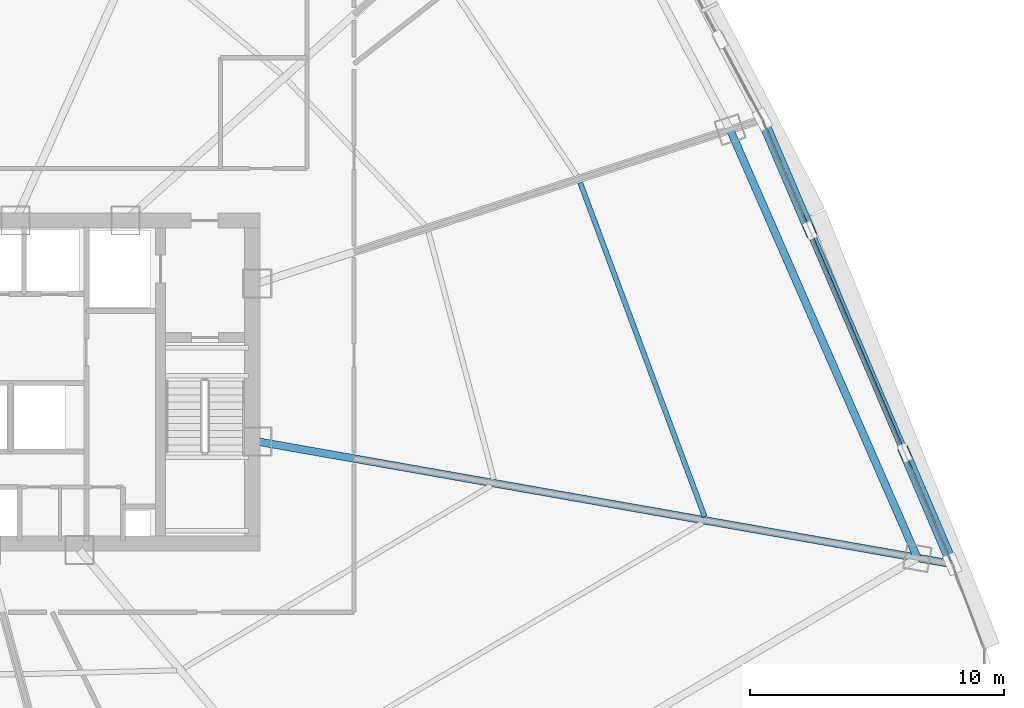
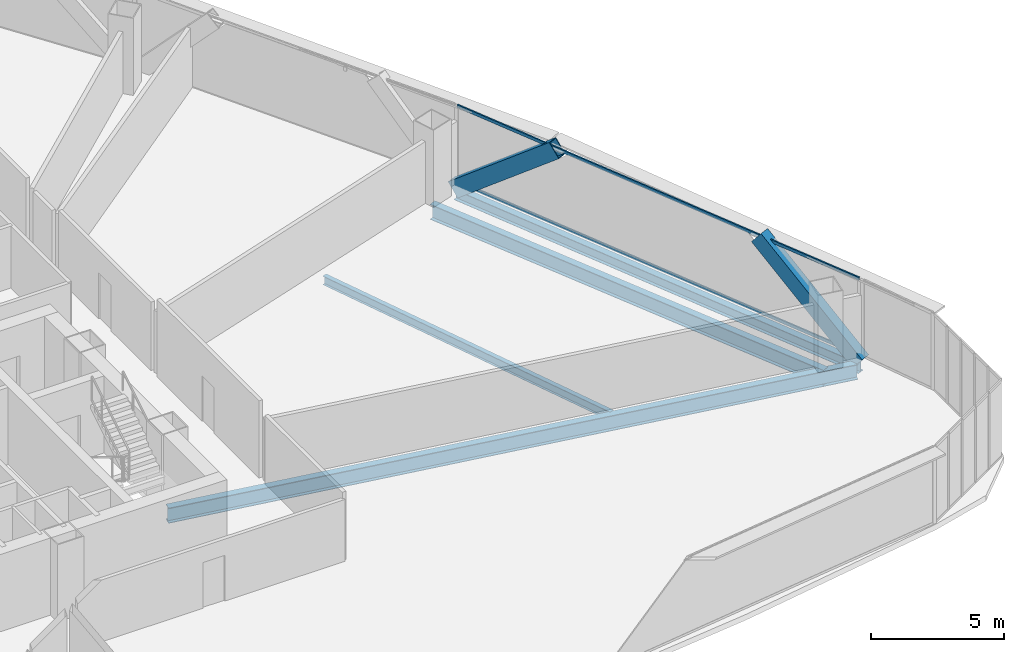
# One storey, part 25 of 41: 4 beams, 4 members, 1 element without a shape of its own.
"""IFC4 building model written with IfcOpenShell, lengths in metres."""

from ifc_helpers import new_model, si_unit, direction, frame, origin, origin_2d, place, context, subcontext, project, spatial, hollow_rectangle, i_section, extrude, source, transform, mapped, material, layer, layer_set, material_profile, profile_set, type_object, element, aggregate, save


model = new_model("IFC4")

# Units and contexts
model_context = context("Model", 3, precision=1e-05, world=origin(), true_north=direction((0.0, 1.0)))
body_context = subcontext(model_context, "Body", "Model", "MODEL_VIEW")
ifc_project = project(units=[si_unit("LENGTHUNIT", "METRE"), si_unit("AREAUNIT", "SQUARE_METRE"), si_unit("VOLUMEUNIT", "CUBIC_METRE"), si_unit("PLANEANGLEUNIT", "RADIAN"), si_unit("MASSUNIT", "GRAM", prefix="KILO"), si_unit("THERMODYNAMICTEMPERATUREUNIT", "KELVIN"), si_unit("POWERUNIT", "WATT")], contexts=[model_context])

# Site, building, storey
site_placement = place(None, origin())
site = spatial("IfcSite", under=ifc_project, at=site_placement, CompositionType="ELEMENT")
building_placement = place(site_placement, origin())
building = spatial("IfcBuilding", under=site, at=building_placement, Name="Yunzhuo Pagoda Commons", CompositionType="ELEMENT")
storey_placement = place(building_placement, frame((0.0, 0.0, 111.580078125)))
storey = spatial("IfcBuildingStorey", under=building, at=storey_placement, Name="L28", CompositionType="ELEMENT", Elevation=111.580078125)

# Beams
ifc_material_1 = material(Name="Structural steel Q355B", Category="steel")
ifc_material_profile_1 = material_profile(ifc_material_1, i_section(OverallWidth=0.300048828125, OverallDepth=0.699951171875, WebThickness=0.012939453125, FlangeThickness=0.02392578125, at=origin_2d()), Name="Structural steel Q355B")
ifc_profile_set_1 = profile_set([ifc_material_profile_1], Name="Structural steel Q355B")
beam_type_1 = type_object("IfcBeamType", Name="B-RG1 Beam HN 700x300x13x24", PredefinedType="BEAM", material=ifc_profile_set_1)
shared_shape_1 = source(origin(), body_context, "Body", "SweptSolid", [
    extrude(i_section(OverallWidth=0.300048828125, OverallDepth=0.699951171875, WebThickness=0.012939453125, FlangeThickness=0.02392578125, at=origin_2d()), origin(), (0.0, 0.0, 1.0), 18.37158203125),
])
beam_1_placement = place(storey_placement, frame((86.352783203125, 26.9375, -0.610107421875), z_axis=(-0.400729599795, 0.916196369698, 0.0), x_axis=(-0.916196369698, -0.400729599795, 0.0)))
element("IfcBeam", 1, at=beam_1_placement, inside=storey, type_object=beam_type_1, Name="L28 column-ring beam 5", PredefinedType="BEAM", context=body_context, shape_type="MappedRepresentation", body=[
    mapped(shared_shape_1, transform((0.0, 0.0, 0.0), scale=1.0)),
])
ifc_material_profile_2 = material_profile(ifc_material_1, i_section(OverallWidth=0.199951171875, OverallDepth=0.39990234375, WebThickness=0.008056640625, FlangeThickness=0.012939453125, at=origin_2d()), Name="Structural steel Q355B")
ifc_profile_set_2 = profile_set([ifc_material_profile_2], Name="Structural steel Q355B")
beam_type_2 = type_object("IfcBeamType", Name="B-JS1 Joist HN 400x200x8x13", PredefinedType="JOIST", material=ifc_profile_set_2)
shared_shape_2 = source(origin(), body_context, "Body", "SweptSolid", [
    extrude(i_section(OverallWidth=0.199951171875, OverallDepth=0.39990234375, WebThickness=0.008056640625, FlangeThickness=0.012939453125, at=origin_2d()), origin(), (0.0, 0.0, 1.0), 14.01904296875),
])
beam_2_placement = place(storey_placement, frame((77.992431640625, 28.55078125, -0.4599609375), z_axis=(-0.349168392993, 0.937059994523, 0.0), x_axis=(-0.937059994523, -0.349168392993, 0.0)))
element("IfcBeam", 2, at=beam_2_placement, inside=storey, type_object=beam_type_2, Name="L28 composite ring joist 2.5", PredefinedType="JOIST", context=body_context, shape_type="MappedRepresentation", body=[
    mapped(shared_shape_2, transform((0.0, 0.0, 0.0), scale=1.0)),
])
shared_shape_3 = source(origin(), body_context, "Body", "SweptSolid", [
    extrude(i_section(OverallWidth=0.300048828125, OverallDepth=0.699951171875, WebThickness=0.012939453125, FlangeThickness=0.02392578125, at=origin_2d()), origin(), (0.0, 0.0, 1.0), 27.59228515625),
])
beam_3_placement = place(storey_placement, frame((87.572998046875, 26.72216796875, -0.610107421875), z_axis=(-0.984808311773, 0.173645008747, 0.0), x_axis=(-0.173645008747, -0.984808311773, 0.0)))
element("IfcBeam", 3, at=beam_3_placement, inside=storey, type_object=beam_type_1, Name="L28 radial floor girder F2C1", PredefinedType="BEAM", context=body_context, shape_type="MappedRepresentation", body=[
    mapped(shared_shape_3, transform((0.0, 0.0, 0.0), scale=1.0)),
])
ifc_material_profile_3 = material_profile(ifc_material_1, i_section(OverallWidth=0.300048828125, OverallDepth=0.488037109375, WebThickness=0.010986328125, FlangeThickness=0.01806640625, at=origin_2d()), Name="Structural steel Q355B")
ifc_profile_set_3 = profile_set([ifc_material_profile_3], Name="Structural steel Q355B")
beam_type_3 = type_object("IfcBeamType", Name="B-SP1 Beam HM 488x300x11x18", PredefinedType="BEAM", material=ifc_profile_set_3)
shared_shape_4 = source(origin(), body_context, "Body", "SweptSolid", [
    extrude(i_section(OverallWidth=0.300048828125, OverallDepth=0.488037109375, WebThickness=0.010986328125, FlangeThickness=0.01806640625, at=origin_2d()), origin(), (0.0, 0.0, 1.0), 19.013671875),
])
beam_4_placement = place(storey_placement, frame((87.7255859375, 26.695556640625, -0.504150390625), z_axis=(-0.392730365154, 0.919653663226, 0.0), x_axis=(-0.919653663226, -0.392730365154, 0.0)))
element("IfcBeam", 4, at=beam_4_placement, inside=storey, type_object=beam_type_3, Name="L28 facade edge spandrel beam F2.1", PredefinedType="BEAM", context=body_context, shape_type="MappedRepresentation", body=[
    mapped(shared_shape_4, transform((0.0, 0.0, 0.0), scale=1.0)),
])

# Members
ifc_material_2 = material(Name="Structural steel Q420B", Category="steel")
ifc_material_profile_4 = material_profile(ifc_material_2, hollow_rectangle(XDim=0.419921875, YDim=0.719970703125, WallThickness=0.028076171875, at=origin_2d()), Name="Structural steel Q420B")
ifc_profile_set_4 = profile_set([ifc_material_profile_4], Name="Structural steel Q420B")
member_type_1 = type_object("IfcMemberType", Name="M-DL1 Brace BOX 720x420x28", PredefinedType="BRACE", material=ifc_profile_set_4)
shared_shape_5 = source(origin(), body_context, "Body", "SweptSolid", [
    extrude(hollow_rectangle(XDim=0.419921875, YDim=0.719970703125, WallThickness=0.028076171875, at=origin_2d()), origin(), (0.0, 0.0, 1.0), 6.085693359375),
])
for number, where, z_axis, x_axis, name in (
    (5, (87.7255859375, 26.695556640625, -0.260009765625), (-0.306735656303, 0.718337517887, 0.624423291964), (-0.919664918407, -0.392704007938, 0.0), "L28 facade diamond brace F2.1L"),
    (6, (80.25830078125, 44.181640625, -0.260009765625), (0.306735656303, -0.718337517887, 0.624423291964), (0.919664918407, 0.392704007938, 0.0), "L28 facade diamond brace F2.1R"),
):
    element("IfcMember", number, at=place(storey_placement, frame(where, z_axis=z_axis, x_axis=x_axis)), inside=storey, type_object=member_type_1, Name=name, PredefinedType="BRACE", context=body_context, shape_type="MappedRepresentation", body=[
        mapped(shared_shape_5, transform((0.0, 0.0, 0.0), scale=1.0)),
    ])

# Curtain wall, members
ifc_material_3 = material(Name="Anodized aluminium 6063-T6", Category="aluminium")
ifc_layer = layer(ifc_material_3, 0.1650390625)
ifc_layer_set = layer_set([ifc_layer], Name="Anodized aluminium 6063-T6")
curtain_wall_type = type_object("IfcCurtainWallType", Name="CW-LOW Low-Zone Ribbon Curtain Wall", PredefinedType="NOTDEFINED", material=ifc_layer_set)
curtain_wall_placement = place(storey_placement, origin())
curtain_wall = element("IfcCurtainWall", 7, at=curtain_wall_placement, inside=storey, type_object=curtain_wall_type, Name="L28 curtain wall CW-L28-F2B2", PredefinedType="NOTDEFINED")
ifc_material_profile_5 = material_profile(ifc_material_3, hollow_rectangle(XDim=0.06005859375, YDim=0.139892578125, WallThickness=0.00341796875, at=origin_2d()), Name="Anodized aluminium 6063-T6")
ifc_profile_set_5 = profile_set([ifc_material_profile_5], Name="Anodized aluminium 6063-T6")
member_type_2 = type_object("IfcMemberType", Name="CW-LOW-T Transom RHS 140x60x3.5", PredefinedType="USERDEFINED", material=ifc_profile_set_5)
shared_shape_6 = source(origin(), body_context, "Body", "SweptSolid", [
    extrude(hollow_rectangle(XDim=0.06005859375, YDim=0.139892578125, WallThickness=0.00341796875, at=origin_2d()), origin(), (0.0, 0.0, 1.0), 18.8837890625),
])
member_1_placement = place(storey_placement, frame((87.7001953125, 26.755126953125, 0.030029296875), z_axis=(-0.392744037399, 0.919647824489, 0.0), x_axis=(-0.919647824489, -0.392744037399, 0.0)))
member_1 = element("IfcMember", 8, at=member_1_placement, type_object=member_type_2, Name="CW transom 1.1", ObjectType="TRANSOM", PredefinedType="USERDEFINED", context=body_context, shape_type="MappedRepresentation", body=[
    mapped(shared_shape_6, transform((0.0, 0.0, 0.0), scale=1.0)),
])
member_2_placement = place(storey_placement, frame((87.7001953125, 26.755126953125, 3.510009765625), z_axis=(-0.392744037399, 0.919647824489, 0.0), x_axis=(-0.919647824489, -0.392744037399, 0.0)))
member_2 = element("IfcMember", 9, at=member_2_placement, type_object=member_type_2, Name="CW transom 1.2", ObjectType="TRANSOM", PredefinedType="USERDEFINED", context=body_context, shape_type="MappedRepresentation", body=[
    mapped(shared_shape_6, transform((0.0, 0.0, 0.0), scale=1.0)),
])
aggregate(curtain_wall, [member_1, member_2])

save(model, "model.ifc")
